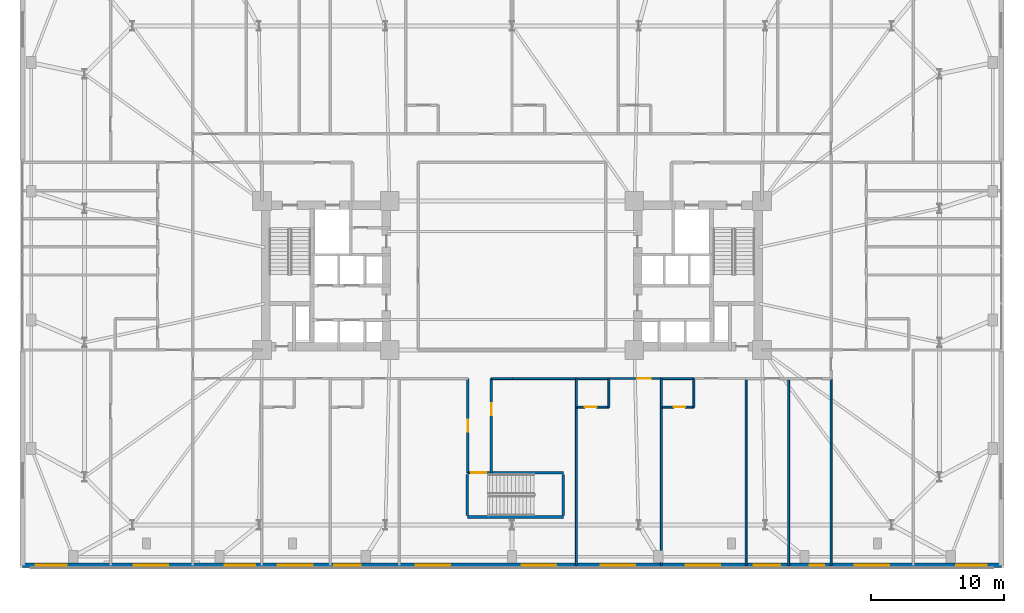
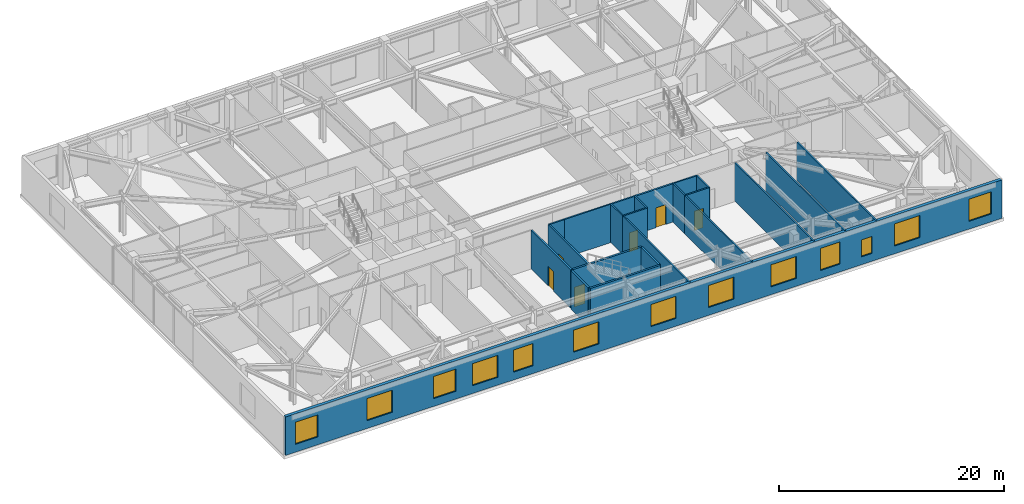
# One storey, part 13 of 21: 23 walls, 13 windows, 6 doors, 19 openings.
"""IFC4 building model written with IfcOpenShell, lengths in metres."""

from ifc_helpers import new_model, si_unit, direction, frame, frame_2d, origin, place, context, subcontext, project, spatial, rectangle, extrude, material, layer, layer_set, type_object, element, fill, save


model = new_model("IFC4")

# Units and contexts
model_context = context("Model", 3, precision=1e-05, world=origin(), true_north=direction((0.0, 1.0)))
body_context = subcontext(model_context, "Body", "Model", "MODEL_VIEW")
ifc_project = project(units=[si_unit("LENGTHUNIT", "METRE"), si_unit("AREAUNIT", "SQUARE_METRE"), si_unit("VOLUMEUNIT", "CUBIC_METRE"), si_unit("PLANEANGLEUNIT", "RADIAN"), si_unit("MASSUNIT", "GRAM", prefix="KILO")], contexts=[model_context])

# Site, building, storey
site_placement = place(None, origin())
site = spatial("IfcSite", under=ifc_project, at=site_placement, CompositionType="ELEMENT")
building_placement = place(site_placement, origin())
building = spatial("IfcBuilding", under=site, at=building_placement, Name="Qobustan Lattice House", CompositionType="ELEMENT")
storey_placement = place(building_placement, frame((0.0, 0.0, 18.0)))
storey = spatial("IfcBuildingStorey", under=building, at=storey_placement, Name="L04", CompositionType="ELEMENT", Elevation=18.0)

# Wall, openings, windows
ifc_material_1 = material(Name="Precast concrete C40/50", Category="concrete")
ifc_layer_1 = layer(ifc_material_1, 0.320068359375)
ifc_layer_set_1 = layer_set([ifc_layer_1], Name="Precast concrete C40/50")
wall_type_1 = type_object("IfcWallType", Name="WAL-EXT-STONE-320", PredefinedType="SOLIDWALL", material=ifc_layer_set_1)
wall_1_placement = place(storey_placement, frame((36.800048828125, -21.800048828125, 0.0), z_axis=(0.0, 0.0, 1.0), x_axis=(-1.0, 0.0, 0.0)))
wall_1 = element("IfcWall", 1, at=wall_1_placement, inside=storey, type_object=wall_type_1, Name="L04 exterior limestone-clad wall 4", PredefinedType="SOLIDWALL", context=body_context, shape_type="SweptSolid", body=[
    extrude(rectangle(XDim=73.60009765625, YDim=0.320068359375, at=frame_2d((36.800048828125, 0.0))), origin(), (0.0, 0.0, 1.0), 4.169921875),
])
opening_1_placement = place(wall_1_placement, frame((1.078857421875, 0.0, 0.85009765625)))
opening_1 = element("IfcOpeningElement", 2, at=opening_1_placement, cuts=wall_1, Name="Opening WN-16", PredefinedType="OPENING", context=body_context, shape_type="SweptSolid", body=[
    extrude(rectangle(XDim=2.300048828125, YDim=2.39990234375, at=frame_2d((1.14990234375, 1.199951171875))), frame((0.0, 0.169921875, 0.0), z_axis=(0.0, -1.0, 0.0), x_axis=(1.0, 0.0, 0.0)), (0.0, 0.0, 1.0), 0.340087890625),
])
opening_2_placement = place(wall_1_placement, frame((8.4306640625, 0.0, 0.85009765625)))
opening_2 = element("IfcOpeningElement", 3, at=opening_2_placement, cuts=wall_1, Name="Opening WN-06", PredefinedType="OPENING", context=body_context, shape_type="SweptSolid", body=[
    extrude(rectangle(XDim=2.60009765625, YDim=2.39990234375, at=frame_2d((1.300048828125, 1.199951171875))), frame((0.0, 0.169921875, 0.0), z_axis=(0.0, -1.0, 0.0), x_axis=(1.0, 0.0, 0.0)), (0.0, 0.0, 1.0), 0.340087890625),
])
opening_3_placement = place(wall_1_placement, frame((13.32421875, 0.0, 0.85009765625)))
opening_3 = element("IfcOpeningElement", 4, at=opening_3_placement, cuts=wall_1, Name="Opening WN-04", PredefinedType="OPENING", context=body_context, shape_type="SweptSolid", body=[
    extrude(rectangle(XDim=1.10009765625, YDim=1.85009765625, at=frame_2d((0.550048828125, 0.925048828125))), frame((0.0, 0.169921875, 0.0), z_axis=(0.0, -1.0, 0.0), x_axis=(1.0, 0.0, 0.0)), (0.0, 0.0, 1.0), 0.340087890625),
])
opening_4_placement = place(wall_1_placement, frame((16.619140625, 0.0, 0.85009765625)))
opening_4 = element("IfcOpeningElement", 5, at=opening_4_placement, cuts=wall_1, Name="Opening WN-05", PredefinedType="OPENING", context=body_context, shape_type="SweptSolid", body=[
    extrude(rectangle(XDim=2.0, YDim=2.39990234375, at=frame_2d((1.0, 1.199951171875))), frame((0.0, 0.169921875, 0.0), z_axis=(0.0, -1.0, 0.0), x_axis=(1.0, 0.0, 0.0)), (0.0, 0.0, 1.0), 0.340087890625),
])
opening_5_placement = place(wall_1_placement, frame((21.12451171875, 0.0, 0.85009765625)))
opening_5 = element("IfcOpeningElement", 6, at=opening_5_placement, cuts=wall_1, Name="Opening WN-06", PredefinedType="OPENING", context=body_context, shape_type="SweptSolid", body=[
    extrude(rectangle(XDim=2.60009765625, YDim=2.39990234375, at=frame_2d((1.300048828125, 1.199951171875))), frame((0.0, 0.169921875, 0.0), z_axis=(0.0, -1.0, 0.0), x_axis=(1.0, 0.0, 0.0)), (0.0, 0.0, 1.0), 0.340087890625),
])
opening_6_placement = place(wall_1_placement, frame((27.53125, 0.0, 0.85009765625)))
opening_6 = element("IfcOpeningElement", 7, at=opening_6_placement, cuts=wall_1, Name="Opening WN-06", PredefinedType="OPENING", context=body_context, shape_type="SweptSolid", body=[
    extrude(rectangle(XDim=2.60009765625, YDim=2.39990234375, at=frame_2d((1.300048828125, 1.199951171875))), frame((0.0, 0.169921875, 0.0), z_axis=(0.0, -1.0, 0.0), x_axis=(1.0, 0.0, 0.0)), (0.0, 0.0, 1.0), 0.340087890625),
])
opening_7_placement = place(wall_1_placement, frame((33.47412109375, 0.0, 0.85009765625)))
opening_7 = element("IfcOpeningElement", 8, at=opening_7_placement, cuts=wall_1, Name="Opening WN-06", PredefinedType="OPENING", context=body_context, shape_type="SweptSolid", body=[
    extrude(rectangle(XDim=2.60009765625, YDim=2.39990234375, at=frame_2d((1.300048828125, 1.199951171875))), frame((0.0, 0.169921875, 0.0), z_axis=(0.0, -1.0, 0.0), x_axis=(1.0, 0.0, 0.0)), (0.0, 0.0, 1.0), 0.340087890625),
])
opening_8_placement = place(wall_1_placement, frame((41.426513671875, 0.0, 0.85009765625)))
opening_8 = element("IfcOpeningElement", 9, at=opening_8_placement, cuts=wall_1, Name="Opening WN-06", PredefinedType="OPENING", context=body_context, shape_type="SweptSolid", body=[
    extrude(rectangle(XDim=2.60009765625, YDim=2.39990234375, at=frame_2d((1.300048828125, 1.199951171875))), frame((0.0, 0.169921875, 0.0), z_axis=(0.0, -1.0, 0.0), x_axis=(1.0, 0.0, 0.0)), (0.0, 0.0, 1.0), 0.340087890625),
])
opening_9_placement = place(wall_1_placement, frame((48.176513671875, 0.0, 0.85009765625)))
opening_9 = element("IfcOpeningElement", 10, at=opening_9_placement, cuts=wall_1, Name="Opening WN-05", PredefinedType="OPENING", context=body_context, shape_type="SweptSolid", body=[
    extrude(rectangle(XDim=2.0, YDim=2.39990234375, at=frame_2d((1.0, 1.199951171875))), frame((0.0, 0.169921875, 0.0), z_axis=(0.0, -1.0, 0.0), x_axis=(1.0, 0.0, 0.0)), (0.0, 0.0, 1.0), 0.340087890625),
])
opening_10_placement = place(wall_1_placement, frame((51.797607421875, 0.0, 0.85009765625)))
opening_10 = element("IfcOpeningElement", 11, at=opening_10_placement, cuts=wall_1, Name="Opening WN-06", PredefinedType="OPENING", context=body_context, shape_type="SweptSolid", body=[
    extrude(rectangle(XDim=2.60009765625, YDim=2.39990234375, at=frame_2d((1.300048828125, 1.199951171875))), frame((0.0, 0.169921875, 0.0), z_axis=(0.0, -1.0, 0.0), x_axis=(1.0, 0.0, 0.0)), (0.0, 0.0, 1.0), 0.340087890625),
])
opening_11_placement = place(wall_1_placement, frame((56.110595703125, 0.0, 0.85009765625)))
opening_11 = element("IfcOpeningElement", 12, at=opening_11_placement, cuts=wall_1, Name="Opening WN-16", PredefinedType="OPENING", context=body_context, shape_type="SweptSolid", body=[
    extrude(rectangle(XDim=2.300048828125, YDim=2.39990234375, at=frame_2d((1.14990234375, 1.199951171875))), frame((0.0, 0.169921875, 0.0), z_axis=(0.0, -1.0, 0.0), x_axis=(1.0, 0.0, 0.0)), (0.0, 0.0, 1.0), 0.340087890625),
])
opening_12_placement = place(wall_1_placement, frame((62.6494140625, 0.0, 0.85009765625)))
opening_12 = element("IfcOpeningElement", 13, at=opening_12_placement, cuts=wall_1, Name="Opening WN-06", PredefinedType="OPENING", context=body_context, shape_type="SweptSolid", body=[
    extrude(rectangle(XDim=2.60009765625, YDim=2.39990234375, at=frame_2d((1.300048828125, 1.199951171875))), frame((0.0, 0.169921875, 0.0), z_axis=(0.0, -1.0, 0.0), x_axis=(1.0, 0.0, 0.0)), (0.0, 0.0, 1.0), 0.340087890625),
])
opening_13_placement = place(wall_1_placement, frame((70.30126953125, 0.0, 0.85009765625)))
opening_13 = element("IfcOpeningElement", 14, at=opening_13_placement, cuts=wall_1, Name="Opening WN-16", PredefinedType="OPENING", context=body_context, shape_type="SweptSolid", body=[
    extrude(rectangle(XDim=2.300048828125, YDim=2.39990234375, at=frame_2d((1.14990234375, 1.199951171875))), frame((0.0, 0.169921875, 0.0), z_axis=(0.0, -1.0, 0.0), x_axis=(1.0, 0.0, 0.0)), (0.0, 0.0, 1.0), 0.340087890625),
])
ifc_material_2 = material(Name="Double-glazed low-E aluminium window", Category="aluminium")
window_type_1 = type_object("IfcWindowType", Name="WIN-NAR-1100x1850", PartitioningType="SINGLE_PANEL", PredefinedType="WINDOW", material=ifc_material_2)
window_1_placement = place(opening_3_placement, origin())
window_1 = element("IfcWindow", 15, at=window_1_placement, inside=storey, type_object=window_type_1, Name="L04 Academic seminar room window", OverallHeight=1.85009765625, OverallWidth=1.10009765625, PartitioningType="SINGLE_PANEL", PredefinedType="WINDOW", context=body_context, shape_type="SweptSolid", body=[
    extrude(rectangle(XDim=1.10009765625, YDim=1.85009765625, at=frame_2d((0.550048828125, 0.925048828125))), frame((0.0, 0.030029296875, 0.0), z_axis=(0.0, -1.0, 0.0), x_axis=(1.0, 0.0, 0.0)), (0.0, 0.0, 1.0), 0.06005859375),
])
fill(opening_3, window_1)
ifc_material_3 = material(Name="Double-glazed low-E aluminium window", Category="aluminium")
window_type_2 = type_object("IfcWindowType", Name="WIN-POD-2000x2400", PartitioningType="SINGLE_PANEL", PredefinedType="WINDOW", material=ifc_material_3)
window_2_placement = place(opening_4_placement, origin())
window_2 = element("IfcWindow", 16, at=window_2_placement, inside=storey, type_object=window_type_2, Name="L04 Group study room window", OverallHeight=2.39990234375, OverallWidth=2.0, PartitioningType="SINGLE_PANEL", PredefinedType="WINDOW", context=body_context, shape_type="SweptSolid", body=[
    extrude(rectangle(XDim=2.0, YDim=2.39990234375, at=frame_2d((1.0, 1.199951171875))), frame((0.0, 0.030029296875, 0.0), z_axis=(0.0, -1.0, 0.0), x_axis=(1.0, 0.0, 0.0)), (0.0, 0.0, 1.0), 0.06005859375),
])
fill(opening_4, window_2)
window_3_placement = place(opening_9_placement, origin())
window_3 = element("IfcWindow", 17, at=window_3_placement, inside=storey, type_object=window_type_2, Name="L04 Kitchenette and studio apartment L04-S3 window", OverallHeight=2.39990234375, OverallWidth=2.0, PartitioningType="SINGLE_PANEL", PredefinedType="WINDOW", context=body_context, shape_type="SweptSolid", body=[
    extrude(rectangle(XDim=2.0, YDim=2.39990234375, at=frame_2d((1.0, 1.199951171875))), frame((0.0, 0.030029296875, 0.0), z_axis=(0.0, -1.0, 0.0), x_axis=(1.0, 0.0, 0.0)), (0.0, 0.0, 1.0), 0.06005859375),
])
fill(opening_9, window_3)
ifc_material_4 = material(Name="Double-glazed low-E aluminium window", Category="aluminium")
window_type_3 = type_object("IfcWindowType", Name="WIN-POD-2300x2400", PartitioningType="SINGLE_PANEL", PredefinedType="WINDOW", material=ifc_material_4)
window_4_placement = place(opening_1_placement, origin())
window_4 = element("IfcWindow", 18, at=window_4_placement, inside=storey, type_object=window_type_3, Name="L04 Collaborative study room L04ES window", OverallHeight=2.39990234375, OverallWidth=2.300048828125, PartitioningType="SINGLE_PANEL", PredefinedType="WINDOW", context=body_context, shape_type="SweptSolid", body=[
    extrude(rectangle(XDim=2.300048828125, YDim=2.39990234375, at=frame_2d((1.14990234375, 1.199951171875))), frame((0.0, 0.030029296875, 0.0), z_axis=(0.0, -1.0, 0.0), x_axis=(1.0, 0.0, 0.0)), (0.0, 0.0, 1.0), 0.06005859375),
])
fill(opening_1, window_4)
window_5_placement = place(opening_11_placement, origin())
window_5 = element("IfcWindow", 19, at=window_5_placement, inside=storey, type_object=window_type_3, Name="L04 Focus study room S1 window", OverallHeight=2.39990234375, OverallWidth=2.300048828125, PartitioningType="SINGLE_PANEL", PredefinedType="WINDOW", context=body_context, shape_type="SweptSolid", body=[
    extrude(rectangle(XDim=2.300048828125, YDim=2.39990234375, at=frame_2d((1.14990234375, 1.199951171875))), frame((0.0, 0.030029296875, 0.0), z_axis=(0.0, -1.0, 0.0), x_axis=(1.0, 0.0, 0.0)), (0.0, 0.0, 1.0), 0.06005859375),
])
fill(opening_11, window_5)
window_6_placement = place(opening_13_placement, origin())
window_6 = element("IfcWindow", 20, at=window_6_placement, inside=storey, type_object=window_type_3, Name="L04 Collaborative study room L04WS window", OverallHeight=2.39990234375, OverallWidth=2.300048828125, PartitioningType="SINGLE_PANEL", PredefinedType="WINDOW", context=body_context, shape_type="SweptSolid", body=[
    extrude(rectangle(XDim=2.300048828125, YDim=2.39990234375, at=frame_2d((1.14990234375, 1.199951171875))), frame((0.0, 0.030029296875, 0.0), z_axis=(0.0, -1.0, 0.0), x_axis=(1.0, 0.0, 0.0)), (0.0, 0.0, 1.0), 0.06005859375),
])
fill(opening_13, window_6)
ifc_material_5 = material(Name="Double-glazed low-E aluminium window", Category="aluminium")
window_type_4 = type_object("IfcWindowType", Name="WIN-POD-2600x2400", PartitioningType="SINGLE_PANEL", PredefinedType="WINDOW", material=ifc_material_5)
window_7_placement = place(opening_2_placement, origin())
window_7 = element("IfcWindow", 21, at=window_7_placement, inside=storey, type_object=window_type_4, Name="L04 Reading seminar room L04ES window", OverallHeight=2.39990234375, OverallWidth=2.60009765625, PartitioningType="SINGLE_PANEL", PredefinedType="WINDOW", context=body_context, shape_type="SweptSolid", body=[
    extrude(rectangle(XDim=2.60009765625, YDim=2.39990234375, at=frame_2d((1.300048828125, 1.199951171875))), frame((0.0, 0.030029296875, 0.0), z_axis=(0.0, -1.0, 0.0), x_axis=(1.0, 0.0, 0.0)), (0.0, 0.0, 1.0), 0.06005859375),
])
fill(opening_2, window_7)
window_8_placement = place(opening_5_placement, origin())
window_8 = element("IfcWindow", 22, at=window_8_placement, inside=storey, type_object=window_type_4, Name="L04 Kitchenette and studio apartment L04-S3 window", OverallHeight=2.39990234375, OverallWidth=2.60009765625, PartitioningType="SINGLE_PANEL", PredefinedType="WINDOW", context=body_context, shape_type="SweptSolid", body=[
    extrude(rectangle(XDim=2.60009765625, YDim=2.39990234375, at=frame_2d((1.300048828125, 1.199951171875))), frame((0.0, 0.030029296875, 0.0), z_axis=(0.0, -1.0, 0.0), x_axis=(1.0, 0.0, 0.0)), (0.0, 0.0, 1.0), 0.06005859375),
])
fill(opening_5, window_8)
window_9_placement = place(opening_6_placement, origin())
window_9 = element("IfcWindow", 23, at=window_9_placement, inside=storey, type_object=window_type_4, Name="L04 Kitchenette and studio apartment L04-S2 window", OverallHeight=2.39990234375, OverallWidth=2.60009765625, PartitioningType="SINGLE_PANEL", PredefinedType="WINDOW", context=body_context, shape_type="SweptSolid", body=[
    extrude(rectangle(XDim=2.60009765625, YDim=2.39990234375, at=frame_2d((1.300048828125, 1.199951171875))), frame((0.0, 0.030029296875, 0.0), z_axis=(0.0, -1.0, 0.0), x_axis=(1.0, 0.0, 0.0)), (0.0, 0.0, 1.0), 0.06005859375),
])
fill(opening_6, window_9)
window_10_placement = place(opening_7_placement, origin())
window_10 = element("IfcWindow", 24, at=window_10_placement, inside=storey, type_object=window_type_4, Name="L04 Focus study room S1 window", OverallHeight=2.39990234375, OverallWidth=2.60009765625, PartitioningType="SINGLE_PANEL", PredefinedType="WINDOW", context=body_context, shape_type="SweptSolid", body=[
    extrude(rectangle(XDim=2.60009765625, YDim=2.39990234375, at=frame_2d((1.300048828125, 1.199951171875))), frame((0.0, 0.030029296875, 0.0), z_axis=(0.0, -1.0, 0.0), x_axis=(1.0, 0.0, 0.0)), (0.0, 0.0, 1.0), 0.06005859375),
])
fill(opening_7, window_10)
window_11_placement = place(opening_8_placement, origin())
window_11 = element("IfcWindow", 25, at=window_11_placement, inside=storey, type_object=window_type_4, Name="L04 Group study room window", OverallHeight=2.39990234375, OverallWidth=2.60009765625, PartitioningType="SINGLE_PANEL", PredefinedType="WINDOW", context=body_context, shape_type="SweptSolid", body=[
    extrude(rectangle(XDim=2.60009765625, YDim=2.39990234375, at=frame_2d((1.300048828125, 1.199951171875))), frame((0.0, 0.030029296875, 0.0), z_axis=(0.0, -1.0, 0.0), x_axis=(1.0, 0.0, 0.0)), (0.0, 0.0, 1.0), 0.06005859375),
])
fill(opening_8, window_11)
window_12_placement = place(opening_10_placement, origin())
window_12 = element("IfcWindow", 26, at=window_12_placement, inside=storey, type_object=window_type_4, Name="L04 Kitchenette and studio apartment L04-S2 window", OverallHeight=2.39990234375, OverallWidth=2.60009765625, PartitioningType="SINGLE_PANEL", PredefinedType="WINDOW", context=body_context, shape_type="SweptSolid", body=[
    extrude(rectangle(XDim=2.60009765625, YDim=2.39990234375, at=frame_2d((1.300048828125, 1.199951171875))), frame((0.0, 0.030029296875, 0.0), z_axis=(0.0, -1.0, 0.0), x_axis=(1.0, 0.0, 0.0)), (0.0, 0.0, 1.0), 0.06005859375),
])
fill(opening_10, window_12)
window_13_placement = place(opening_12_placement, origin())
window_13 = element("IfcWindow", 27, at=window_13_placement, inside=storey, type_object=window_type_4, Name="L04 Reading seminar room L04WS window", OverallHeight=2.39990234375, OverallWidth=2.60009765625, PartitioningType="SINGLE_PANEL", PredefinedType="WINDOW", context=body_context, shape_type="SweptSolid", body=[
    extrude(rectangle(XDim=2.60009765625, YDim=2.39990234375, at=frame_2d((1.300048828125, 1.199951171875))), frame((0.0, 0.030029296875, 0.0), z_axis=(0.0, -1.0, 0.0), x_axis=(1.0, 0.0, 0.0)), (0.0, 0.0, 1.0), 0.06005859375),
])
fill(opening_12, window_13)

# Wall, opening, door
ifc_material_6 = material(Name="Gypsum fireboard acoustic partition", Category="gypsum")
ifc_layer_2 = layer(ifc_material_6, 0.179931640625)
ifc_layer_set_2 = layer_set([ifc_layer_2], Name="Gypsum fireboard acoustic partition")
wall_type_2 = type_object("IfcWallType", Name="WAL-FIRE-180", PredefinedType="PARTITIONING", material=ifc_layer_set_2)
wall_2_placement = place(storey_placement, frame((11.22509765625, -7.75, 0.0), z_axis=(0.0, 0.0, 1.0), x_axis=(-1.0, 0.0, 0.0)))
wall_2 = element("IfcWall", 28, at=wall_2_placement, inside=storey, type_object=wall_type_2, Name="L04 interior partition 68", PredefinedType="PARTITIONING", context=body_context, shape_type="SweptSolid", body=[
    extrude(rectangle(XDim=3.93701171875, YDim=0.179931640625, at=frame_2d((1.968505859375, 0.0))), origin(), (0.0, 0.0, 1.0), 4.169921875),
])
opening_14_placement = place(wall_2_placement, frame((0.802001953125, 0.0, 0.0)))
opening_14 = element("IfcOpeningElement", 29, at=opening_14_placement, cuts=wall_2, Name="Opening FD-02", PredefinedType="OPENING", context=body_context, shape_type="SweptSolid", body=[
    extrude(rectangle(XDim=1.0, YDim=2.14990234375, at=frame_2d((0.5, 1.074951171875))), frame((0.0, 0.099853515625, 0.0), z_axis=(0.0, -1.0, 0.0), x_axis=(1.0, 0.0, 0.0)), (0.0, 0.0, 1.0), 0.199951171875),
])
ifc_material_7 = material(Name="Persian walnut timber and steel frame door", Category="steel")
door_type_1 = type_object("IfcDoorType", Name="DOR-UNIT-FD-1000x2150", OperationType="NOTDEFINED", PredefinedType="DOOR", material=ifc_material_7)
door_1_placement = place(opening_14_placement, origin())
door_1 = element("IfcDoor", 30, at=door_1_placement, inside=storey, type_object=door_type_1, Name="L04 South-east podium corridor to Kitchenette and studio apartment L04-S2 door", OperationType="SINGLE_SWING_LEFT", OverallHeight=2.14990234375, OverallWidth=1.0, PredefinedType="DOOR", context=body_context, shape_type="SweptSolid", body=[
    extrude(rectangle(XDim=1.0, YDim=2.14990234375, at=frame_2d((0.5, 1.074951171875))), frame((0.0, 0.02490234375, 0.0), z_axis=(0.0, -1.0, 0.0), x_axis=(1.0, 0.0, 0.0)), (0.0, 0.0, 1.0), 0.050048828125),
])
fill(opening_14, door_1)

wall_3_placement = place(storey_placement, frame((-3.320068359375, -14.860107421875, 0.0), z_axis=(0.0, 0.0, 1.0), x_axis=(0.0, 1.0, 0.0)))
wall_3 = element("IfcWall", 31, at=wall_3_placement, inside=storey, type_object=wall_type_2, Name="L04 interior partition 77", PredefinedType="PARTITIONING", context=body_context, shape_type="SweptSolid", body=[
    extrude(rectangle(XDim=7.110107421875, YDim=0.179931640625, at=frame_2d((3.55517578125, 0.0))), origin(), (0.0, 0.0, 1.0), 4.169921875),
])
opening_15_placement = place(wall_3_placement, frame((3.10498046875, 0.0, 0.0)))
opening_15 = element("IfcOpeningElement", 32, at=opening_15_placement, cuts=wall_3, Name="Opening RD-01", PredefinedType="OPENING", context=body_context, shape_type="SweptSolid", body=[
    extrude(rectangle(XDim=0.89990234375, YDim=2.10009765625, at=frame_2d((0.449951171875, 1.050048828125))), frame((0.0, 0.099853515625, 0.0), z_axis=(0.0, -1.0, 0.0), x_axis=(1.0, 0.0, 0.0)), (0.0, 0.0, 1.0), 0.199951171875),
])
ifc_material_8 = material(Name="Persian walnut timber and steel frame door", Category="steel")
door_type_2 = type_object("IfcDoorType", Name="DOR-RISER-FD-900x2100", OperationType="NOTDEFINED", PredefinedType="DOOR", material=ifc_material_8)
door_2_placement = place(opening_15_placement, origin())
door_2 = element("IfcDoor", 33, at=door_2_placement, inside=storey, type_object=door_type_2, Name="L04 Podium stair approach corridor to Group study room door", OperationType="SINGLE_SWING_RIGHT", OverallHeight=2.10009765625, OverallWidth=0.89990234375, PredefinedType="DOOR", context=body_context, shape_type="SweptSolid", body=[
    extrude(rectangle(XDim=0.89990234375, YDim=2.10009765625, at=frame_2d((0.449951171875, 1.050048828125))), frame((0.0, 0.02490234375, 0.0), z_axis=(0.0, -1.0, 0.0), x_axis=(1.0, 0.0, 0.0)), (0.0, 0.0, 1.0), 0.050048828125),
])
fill(opening_15, door_2)

wall_4_placement = place(storey_placement, frame((-1.550048828125, -7.75, 0.0), z_axis=(0.0, 0.0, 1.0), x_axis=(0.0, -1.0, 0.0)))
wall_4 = element("IfcWall", 34, at=wall_4_placement, inside=storey, type_object=wall_type_2, Name="L04 interior partition 78", PredefinedType="PARTITIONING", context=body_context, shape_type="SweptSolid", body=[
    extrude(rectangle(XDim=7.110107421875, YDim=0.179931640625, at=frame_2d((3.55517578125, 0.0))), origin(), (0.0, 0.0, 1.0), 4.169921875),
])
opening_16_placement = place(wall_4_placement, frame((1.842529296875, 0.0, 0.0)))
opening_16 = element("IfcOpeningElement", 35, at=opening_16_placement, cuts=wall_4, Name="Opening RD-01", PredefinedType="OPENING", context=body_context, shape_type="SweptSolid", body=[
    extrude(rectangle(XDim=0.89990234375, YDim=2.10009765625, at=frame_2d((0.449951171875, 1.050048828125))), frame((0.0, 0.099853515625, 0.0), z_axis=(0.0, -1.0, 0.0), x_axis=(1.0, 0.0, 0.0)), (0.0, 0.0, 1.0), 0.199951171875),
])
door_3_placement = place(opening_16_placement, origin())
door_3 = element("IfcDoor", 36, at=door_3_placement, inside=storey, type_object=door_type_2, Name="L04 Podium stair approach corridor to Focus study room S1 door", OperationType="SINGLE_SWING_LEFT", OverallHeight=2.10009765625, OverallWidth=0.89990234375, PredefinedType="DOOR", context=body_context, shape_type="SweptSolid", body=[
    extrude(rectangle(XDim=0.89990234375, YDim=2.10009765625, at=frame_2d((0.449951171875, 1.050048828125))), frame((0.0, 0.02490234375, 0.0), z_axis=(0.0, -1.0, 0.0), x_axis=(1.0, 0.0, 0.0)), (0.0, 0.0, 1.0), 0.050048828125),
])
fill(opening_16, door_3)

# Walls
ifc_material_9 = material(Name="Acoustic twin-stud gypsum partition", Category="gypsum")
ifc_layer_3 = layer(ifc_material_9, 0.14990234375)
ifc_layer_set_3 = layer_set([ifc_layer_3], Name="Acoustic twin-stud gypsum partition")
wall_type_3 = type_object("IfcWallType", Name="WAL-PART-150", PredefinedType="PARTITIONING", material=ifc_layer_set_3)
wall_5_placement = place(storey_placement, frame((0.0, -7.75, 0.0), z_axis=(0.0, 0.0, 1.0), x_axis=(-1.0, 0.0, 0.0)))
element("IfcWall", 37, at=wall_5_placement, inside=storey, type_object=wall_type_3, Name="L04 interior partition 63", PredefinedType="PARTITIONING", context=body_context, shape_type="SweptSolid", body=[
    extrude(rectangle(XDim=1.550048828125, YDim=0.14990234375, at=frame_2d((0.77490234375, 0.0))), origin(), (0.0, 0.0, 1.0), 4.169921875),
])
wall_6_placement = place(storey_placement, frame((4.837890625, -7.75, 0.0), z_axis=(0.0, 0.0, 1.0), x_axis=(-1.0, 0.0, 0.0)))
element("IfcWall", 38, at=wall_6_placement, inside=storey, type_object=wall_type_3, Name="L04 interior partition 67", PredefinedType="PARTITIONING", context=body_context, shape_type="SweptSolid", body=[
    extrude(rectangle(XDim=4.837890625, YDim=0.14990234375, at=frame_2d((2.4189453125, 0.0))), origin(), (0.0, 0.0, 1.0), 4.169921875),
])
wall_7_placement = place(storey_placement, frame((24.0, -21.800048828125, 0.0), z_axis=(0.0, 0.0, 1.0), x_axis=(0.0, 1.0, 0.0)))
element("IfcWall", 39, at=wall_7_placement, inside=storey, type_object=wall_type_3, Name="L04 interior partition 117", PredefinedType="PARTITIONING", context=body_context, shape_type="SweptSolid", body=[
    extrude(rectangle(XDim=14.050048828125, YDim=0.14990234375, at=frame_2d((7.02490234375, 0.0))), origin(), (0.0, 0.0, 1.0), 4.169921875),
])
for number, where, z_axis, x_axis, name in (
    (40, (4.837890625, -9.89990234375, 0.0), (0.0, 0.0, 1.0), (0.0, -1.0, 0.0), "L04 interior partition 151"),
    (41, (11.22509765625, -9.89990234375, 0.0), (0.0, 0.0, 1.0), (0.0, -1.0, 0.0), "L04 interior partition 155"),
):
    element("IfcWall", number, at=place(storey_placement, frame(where, z_axis=z_axis, x_axis=x_axis)), inside=storey, type_object=wall_type_3, Name=name, PredefinedType="PARTITIONING", context=body_context, shape_type="SweptSolid", body=[
        extrude(rectangle(XDim=11.900146484375, YDim=0.14990234375, at=frame_2d((5.9501953125, 0.0))), origin(), (0.0, 0.0, 1.0), 4.169921875),
    ])
for number, where, z_axis, x_axis, name in (
    (42, (17.613037109375, -7.75, 0.0), (0.0, 0.0, 1.0), (0.0, -1.0, 0.0), "L04 interior partition 159"),
    (43, (20.806396484375, -7.75, 0.0), (0.0, 0.0, 1.0), (0.0, -1.0, 0.0), "L04 interior partition 160"),
):
    element("IfcWall", number, at=place(storey_placement, frame(where, z_axis=z_axis, x_axis=x_axis)), inside=storey, type_object=wall_type_3, Name=name, PredefinedType="PARTITIONING", context=body_context, shape_type="SweptSolid", body=[
        extrude(rectangle(XDim=14.050048828125, YDim=0.14990234375, at=frame_2d((7.02490234375, 0.0))), origin(), (0.0, 0.0, 1.0), 4.169921875),
    ])

# Wall, opening, door
ifc_material_10 = material(Name="Concrete C40/50", Category="concrete")
ifc_layer_4 = layer(ifc_material_10, 0.199951171875)
ifc_layer_set_4 = layer_set([ifc_layer_4], Name="Concrete C40/50")
wall_type_4 = type_object("IfcWallType", Name="WAL-SHAFT-LB-200", PredefinedType="SHEAR", material=ifc_layer_set_4)
wall_8_placement = place(storey_placement, frame((-3.360107421875, -14.840087890625, 0.0), z_axis=(0.0, 0.0, 1.0), x_axis=(1.0, 0.0, 0.0)))
wall_8 = element("IfcWall", 44, at=wall_8_placement, inside=storey, type_object=wall_type_4, Name="L04 podium stair ST-P1 RC shaft wall STP-N", PredefinedType="SHEAR", context=body_context, shape_type="SweptSolid", body=[
    extrude(rectangle(XDim=7.22021484375, YDim=0.199951171875, at=frame_2d((3.610107421875, 0.0))), origin(), (0.0, 0.0, 1.0), 4.169921875),
])
opening_17_placement = place(wall_8_placement, frame((0.31005859375, 0.0, 0.0)))
opening_17 = element("IfcOpeningElement", 45, at=opening_17_placement, cuts=wall_8, Name="Opening SD-01", PredefinedType="OPENING", context=body_context, shape_type="SweptSolid", body=[
    extrude(rectangle(XDim=1.10009765625, YDim=2.14990234375, at=frame_2d((0.550048828125, 1.074951171875))), frame((0.0, 0.10986328125, 0.0), z_axis=(0.0, -1.0, 0.0), x_axis=(1.0, 0.0, 0.0)), (0.0, 0.0, 1.0), 0.219970703125),
])
ifc_material_11 = material(Name="Persian walnut timber and steel frame door", Category="steel")
door_type_3 = type_object("IfcDoorType", Name="DOR-STAIR-FD-1100x2150", OperationType="NOTDEFINED", PredefinedType="DOOR", material=ifc_material_11)
door_4_placement = place(opening_17_placement, origin())
door_4 = element("IfcDoor", 46, at=door_4_placement, inside=storey, type_object=door_type_3, Name="L04 podium stair ST-P1 fire door", OperationType="SINGLE_SWING_LEFT", OverallHeight=2.14990234375, OverallWidth=1.10009765625, PredefinedType="DOOR", context=body_context, shape_type="SweptSolid", body=[
    extrude(rectangle(XDim=1.10009765625, YDim=2.14990234375, at=frame_2d((0.550048828125, 1.074951171875))), frame((0.0, 0.02490234375, 0.0), z_axis=(0.0, -1.0, 0.0), x_axis=(1.0, 0.0, 0.0)), (0.0, 0.0, 1.0), 0.050048828125),
])
fill(opening_17, door_4)

# Walls
wall_9_placement = place(storey_placement, frame((-3.360107421875, -18.159912109375, 0.0), z_axis=(0.0, 0.0, 1.0), x_axis=(1.0, 0.0, 0.0)))
element("IfcWall", 47, at=wall_9_placement, inside=storey, type_object=wall_type_4, Name="L04 podium stair ST-P1 RC shaft wall STP-S", PredefinedType="SHEAR", context=body_context, shape_type="SweptSolid", body=[
    extrude(rectangle(XDim=7.22021484375, YDim=0.199951171875, at=frame_2d((3.610107421875, 0.0))), origin(), (0.0, 0.0, 1.0), 4.169921875),
])
for number, where, z_axis, x_axis, name in (
    (48, (-3.360107421875, -18.0400390625, 0.0), (0.0, 0.0, 1.0), (0.0, 1.0, 0.0), "L04 podium stair ST-P1 RC shaft wall STP-W"),
    (49, (3.860107421875, -18.0400390625, 0.0), (0.0, 0.0, 1.0), (0.0, 1.0, 0.0), "L04 podium stair ST-P1 RC shaft wall STP-E"),
):
    element("IfcWall", number, at=place(storey_placement, frame(where, z_axis=z_axis, x_axis=x_axis)), inside=storey, type_object=wall_type_4, Name=name, PredefinedType="SHEAR", context=body_context, shape_type="SweptSolid", body=[
        extrude(rectangle(XDim=3.080078125, YDim=0.199951171875, at=frame_2d((1.5400390625, 0.0))), origin(), (0.0, 0.0, 1.0), 4.169921875),
    ])
ifc_material_12 = material(Name="Moisture-resistant acoustic plumbing wall", Category="gypsum")
ifc_layer_5 = layer(ifc_material_12, 0.14990234375)
ifc_layer_set_5 = layer_set([ifc_layer_5], Name="Moisture-resistant acoustic plumbing wall")
wall_type_5 = type_object("IfcWallType", Name="WAL-WET-150", PredefinedType="PLUMBINGWALL", material=ifc_layer_set_5)
wall_10_placement = place(storey_placement, frame((7.2880859375, -7.75, 0.0), z_axis=(0.0, 0.0, 1.0), x_axis=(-1.0, 0.0, 0.0)))
element("IfcWall", 50, at=wall_10_placement, inside=storey, type_object=wall_type_5, Name="L04 interior partition 69", PredefinedType="PLUMBINGWALL", context=body_context, shape_type="SweptSolid", body=[
    extrude(rectangle(XDim=2.4501953125, YDim=0.14990234375, at=frame_2d((1.22509765625, 0.0))), origin(), (0.0, 0.0, 1.0), 4.169921875),
])
wall_11_placement = place(storey_placement, frame((13.675048828125, -7.75, 0.0), z_axis=(0.0, 0.0, 1.0), x_axis=(-1.0, 0.0, 0.0)))
element("IfcWall", 51, at=wall_11_placement, inside=storey, type_object=wall_type_5, Name="L04 interior partition 71", PredefinedType="PLUMBINGWALL", context=body_context, shape_type="SweptSolid", body=[
    extrude(rectangle(XDim=2.449951171875, YDim=0.14990234375, at=frame_2d((1.22509765625, 0.0))), origin(), (0.0, 0.0, 1.0), 4.169921875),
])
wall_12_placement = place(storey_placement, frame((4.837890625, -7.75, 0.0), z_axis=(0.0, 0.0, 1.0), x_axis=(0.0, -1.0, 0.0)))
element("IfcWall", 52, at=wall_12_placement, inside=storey, type_object=wall_type_5, Name="L04 interior partition 152", PredefinedType="PLUMBINGWALL", context=body_context, shape_type="SweptSolid", body=[
    extrude(rectangle(XDim=2.14990234375, YDim=0.14990234375, at=frame_2d((1.074951171875, 0.0))), origin(), (0.0, 0.0, 1.0), 4.169921875),
])

# Wall, opening, door
wall_13_placement = place(storey_placement, frame((4.837890625, -9.89990234375, 0.0), z_axis=(0.0, 0.0, 1.0), x_axis=(1.0, 0.0, 0.0)))
wall_13 = element("IfcWall", 53, at=wall_13_placement, inside=storey, type_object=wall_type_5, Name="L04 interior partition 153", PredefinedType="PLUMBINGWALL", context=body_context, shape_type="SweptSolid", body=[
    extrude(rectangle(XDim=2.4501953125, YDim=0.14990234375, at=frame_2d((1.22509765625, 0.0))), origin(), (0.0, 0.0, 1.0), 4.169921875),
])
opening_18_placement = place(wall_13_placement, frame((0.62890625, 0.0, 0.0)))
opening_18 = element("IfcOpeningElement", 54, at=opening_18_placement, cuts=wall_13, Name="Opening WD-01", PredefinedType="OPENING", context=body_context, shape_type="SweptSolid", body=[
    extrude(rectangle(XDim=0.89990234375, YDim=2.10009765625, at=frame_2d((0.449951171875, 1.050048828125))), frame((0.0, 0.0849609375, 0.0), z_axis=(0.0, -1.0, 0.0), x_axis=(1.0, 0.0, 0.0)), (0.0, 0.0, 1.0), 0.169921875),
])
ifc_material_13 = material(Name="Persian walnut timber and steel frame door", Category="steel")
door_type_4 = type_object("IfcDoorType", Name="DOR-WET-900x2100", OperationType="NOTDEFINED", PredefinedType="DOOR", material=ifc_material_13)
door_5_placement = place(opening_18_placement, origin())
door_5 = element("IfcDoor", 55, at=door_5_placement, inside=storey, type_object=door_type_4, Name="L04 Kitchenette and studio apartment L04-S2 to En-suite bathroom L04-S2 door", OperationType="SINGLE_SWING_LEFT", OverallHeight=2.10009765625, OverallWidth=0.89990234375, PredefinedType="DOOR", context=body_context, shape_type="SweptSolid", body=[
    extrude(rectangle(XDim=0.89990234375, YDim=2.10009765625, at=frame_2d((0.449951171875, 1.050048828125))), frame((0.0, 0.02490234375, 0.0), z_axis=(0.0, -1.0, 0.0), x_axis=(1.0, 0.0, 0.0)), (0.0, 0.0, 1.0), 0.050048828125),
])
fill(opening_18, door_5)

# Walls
for number, where, z_axis, x_axis, name in (
    (56, (7.2880859375, -9.89990234375, 0.0), (0.0, 0.0, 1.0), (0.0, 1.0, 0.0), "L04 interior partition 154"),
    (57, (11.22509765625, -7.75, 0.0), (0.0, 0.0, 1.0), (0.0, -1.0, 0.0), "L04 interior partition 156"),
):
    element("IfcWall", number, at=place(storey_placement, frame(where, z_axis=z_axis, x_axis=x_axis)), inside=storey, type_object=wall_type_5, Name=name, PredefinedType="PLUMBINGWALL", context=body_context, shape_type="SweptSolid", body=[
        extrude(rectangle(XDim=2.14990234375, YDim=0.14990234375, at=frame_2d((1.074951171875, 0.0))), origin(), (0.0, 0.0, 1.0), 4.169921875),
    ])

# Wall, opening, door
wall_14_placement = place(storey_placement, frame((11.22509765625, -9.89990234375, 0.0), z_axis=(0.0, 0.0, 1.0), x_axis=(1.0, 0.0, 0.0)))
wall_14 = element("IfcWall", 58, at=wall_14_placement, inside=storey, type_object=wall_type_5, Name="L04 interior partition 157", PredefinedType="PLUMBINGWALL", context=body_context, shape_type="SweptSolid", body=[
    extrude(rectangle(XDim=2.449951171875, YDim=0.14990234375, at=frame_2d((1.22509765625, 0.0))), origin(), (0.0, 0.0, 1.0), 4.169921875),
])
opening_19_placement = place(wall_14_placement, frame((0.92138671875, 0.0, 0.0)))
opening_19 = element("IfcOpeningElement", 59, at=opening_19_placement, cuts=wall_14, Name="Opening WD-01", PredefinedType="OPENING", context=body_context, shape_type="SweptSolid", body=[
    extrude(rectangle(XDim=0.89990234375, YDim=2.10009765625, at=frame_2d((0.449951171875, 1.050048828125))), frame((0.0, 0.0849609375, 0.0), z_axis=(0.0, -1.0, 0.0), x_axis=(1.0, 0.0, 0.0)), (0.0, 0.0, 1.0), 0.169921875),
])
door_6_placement = place(opening_19_placement, origin())
door_6 = element("IfcDoor", 60, at=door_6_placement, inside=storey, type_object=door_type_4, Name="L04 Kitchenette and studio apartment L04-S3 to En-suite bathroom L04-S3 door", OperationType="SINGLE_SWING_RIGHT", OverallHeight=2.10009765625, OverallWidth=0.89990234375, PredefinedType="DOOR", context=body_context, shape_type="SweptSolid", body=[
    extrude(rectangle(XDim=0.89990234375, YDim=2.10009765625, at=frame_2d((0.449951171875, 1.050048828125))), frame((0.0, 0.02490234375, 0.0), z_axis=(0.0, -1.0, 0.0), x_axis=(1.0, 0.0, 0.0)), (0.0, 0.0, 1.0), 0.050048828125),
])
fill(opening_19, door_6)

# Wall
wall_15_placement = place(storey_placement, frame((13.675048828125, -9.89990234375, 0.0), z_axis=(0.0, 0.0, 1.0), x_axis=(0.0, 1.0, 0.0)))
element("IfcWall", 61, at=wall_15_placement, inside=storey, type_object=wall_type_5, Name="L04 interior partition 158", PredefinedType="PLUMBINGWALL", context=body_context, shape_type="SweptSolid", body=[
    extrude(rectangle(XDim=2.14990234375, YDim=0.14990234375, at=frame_2d((1.074951171875, 0.0))), origin(), (0.0, 0.0, 1.0), 4.169921875),
])

save(model, "model.ifc")
